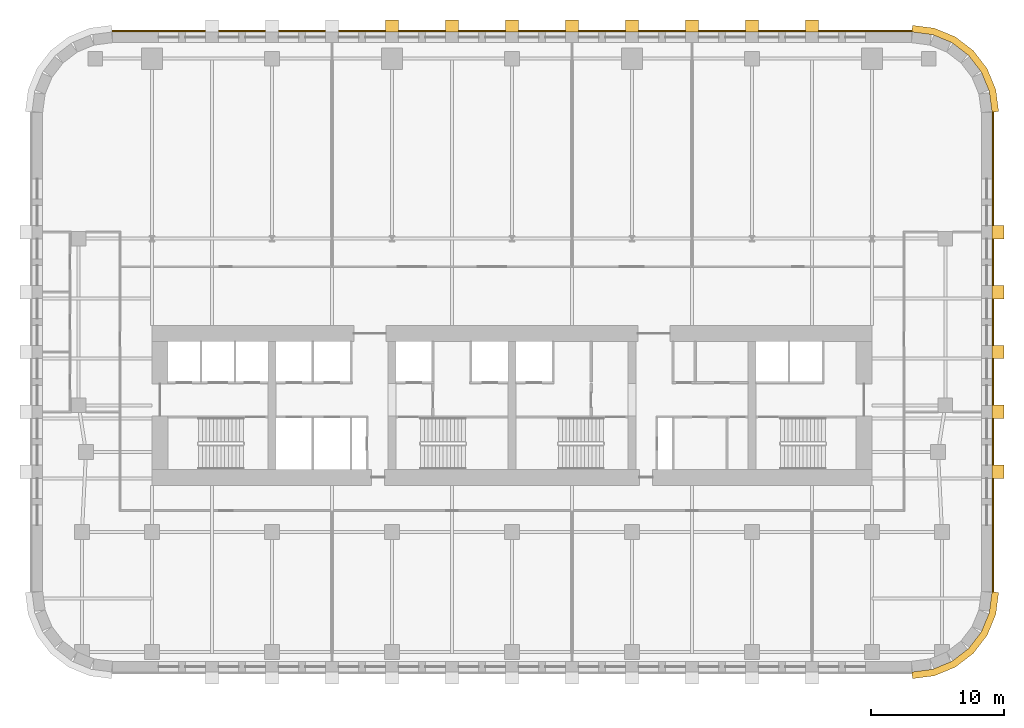
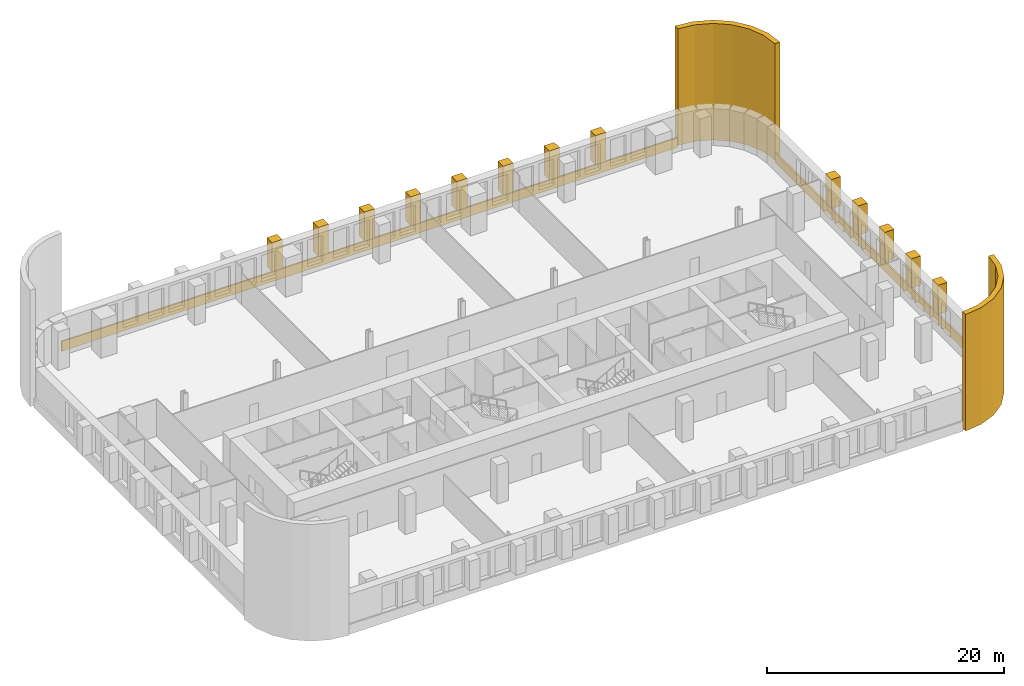
# One storey, part 11 of 11: 17 coverings.
"""IFC4 building model written with IfcOpenShell, lengths in metres."""

from ifc_helpers import new_model, si_unit, direction, frame, origin, place, context, subcontext, project, spatial, polyline, outline, extrude, material, layer, layer_set, type_object, element, save


model = new_model("IFC4")

# Units and contexts
model_context = context("Model", 3, precision=1e-05, world=origin(), true_north=direction((0.0, 1.0)))
body_context = subcontext(model_context, "Body", "Model", "MODEL_VIEW")
ifc_project = project(units=[si_unit("LENGTHUNIT", "METRE"), si_unit("AREAUNIT", "SQUARE_METRE"), si_unit("VOLUMEUNIT", "CUBIC_METRE"), si_unit("PLANEANGLEUNIT", "RADIAN"), si_unit("MASSUNIT", "GRAM", prefix="KILO")], contexts=[model_context])

# Site, building, storey
site_placement = place(None, origin())
site = spatial("IfcSite", under=ifc_project, at=site_placement, CompositionType="ELEMENT")
building_placement = place(site_placement, origin())
building = spatial("IfcBuilding", under=site, at=building_placement, Name="Zellij Exchange Tower", CompositionType="ELEMENT")
storey_placement = place(building_placement, frame((0.0, 0.0, 64.5)))
storey = spatial("IfcBuildingStorey", under=building, at=storey_placement, Name="L12", CompositionType="ELEMENT", Elevation=64.5)

# Coverings
ifc_material = material(Name="Limestone cladding", Category="masonry")
ifc_layer_1 = layer(ifc_material, 0.14990234375)
ifc_layer_set_1 = layer_set([ifc_layer_1], Name="Limestone cladding")
covering_type_1 = type_object("IfcCoveringType", Name="ENV-CV1 Stone spandrel band 150", PredefinedType="CLADDING", material=ifc_layer_set_1)
covering_1_placement = place(storey_placement, frame((0.0, 0.0, -0.199951171875)))
element("IfcCovering", 1, at=covering_1_placement, inside=storey, type_object=covering_type_1, Name="Stone spandrel band", PredefinedType="CLADDING", context=body_context, shape_type="SweptSolid", body=[
    extrude(outline(polyline([(36.0, -21.973876953125), (36.0, 13.973876953125), (36.14990234375, 13.983642578125), (36.14990234375, -21.983642578125), (36.0, -21.973876953125)])), origin(), (0.0, 0.0, 1.0), 1.0),
])
covering_2_placement = place(storey_placement, frame((0.0, 0.0, -0.199951171875)))
element("IfcCovering", 2, at=covering_2_placement, inside=storey, type_object=covering_type_1, Name="Stone spandrel band", PredefinedType="CLADDING", context=body_context, shape_type="SweptSolid", body=[
    extrude(outline(polyline([(29.973876953125, 20.0), (-29.973876953125, 20.0), (-29.983642578125, 20.14990234375), (29.983642578125, 20.14990234375), (29.973876953125, 20.0)])), origin(), (0.0, 0.0, 1.0), 1.0),
])
ifc_layer_2 = layer(ifc_material, 0.5)
ifc_layer_set_2 = layer_set([ifc_layer_2], Name="Limestone cladding")
covering_type_2 = type_object("IfcCoveringType", Name="ENV-CV12 Stone corner pier 500", PredefinedType="CLADDING", material=ifc_layer_set_2)
covering_3_placement = place(storey_placement, origin())
element("IfcCovering", 3, at=covering_3_placement, inside=storey, type_object=covering_type_2, Name="Stone corner pier", PredefinedType="CLADDING", context=body_context, shape_type="SweptSolid", body=[
    extrude(outline(polyline([(30.0, -28.0), (31.552978515625, -27.795654296875), (33.0, -27.1962890625), (34.24267578125, -26.24267578125), (35.1962890625, -25.0), (35.795654296875, -23.552978515625), (36.0, -22.0), (36.5, -22.03271484375), (36.28271484375, -23.683349609375), (35.6328125, -25.252197265625), (34.59912109375, -26.59912109375), (33.252197265625, -27.6328125), (31.683349609375, -28.28271484375), (30.03271484375, -28.5), (30.0, -28.0)])), origin(), (0.0, 0.0, 1.0), 12.0),
])
covering_4_placement = place(storey_placement, origin())
element("IfcCovering", 4, at=covering_4_placement, inside=storey, type_object=covering_type_2, Name="Stone corner pier", PredefinedType="CLADDING", context=body_context, shape_type="SweptSolid", body=[
    extrude(outline(polyline([(36.0, 14.0), (35.795654296875, 15.552978515625), (35.1962890625, 17.0), (34.24267578125, 18.24267578125), (33.0, 19.1962890625), (31.552978515625, 19.795654296875), (30.0, 20.0), (30.03271484375, 20.5), (31.683349609375, 20.28271484375), (33.252197265625, 19.6328125), (34.59912109375, 18.59912109375), (35.6328125, 17.252197265625), (36.28271484375, 15.683349609375), (36.5, 14.03271484375), (36.0, 14.0)])), origin(), (0.0, 0.0, 1.0), 12.0),
])
covering_type_3 = type_object("IfcCoveringType", Name="ENV-CV2 Stone pier 1000x900", PredefinedType="CLADDING", material=ifc_material)
covering_5_placement = place(storey_placement, frame((0.0, 0.0, 0.800048828125)))
element("IfcCovering", 5, at=covering_5_placement, inside=storey, type_object=covering_type_3, Name="Stone pier", PredefinedType="CLADDING", context=body_context, shape_type="SweptSolid", body=[
    extrude(outline(polyline([(36.0, -13.48681640625), (36.0, -12.48681640625), (36.89990234375, -12.48681640625), (36.89990234375, -13.48681640625), (36.0, -13.48681640625)])), origin(), (0.0, 0.0, 1.0), 3.0),
])
covering_6_placement = place(storey_placement, frame((0.0, 0.0, 0.800048828125)))
element("IfcCovering", 6, at=covering_6_placement, inside=storey, type_object=covering_type_3, Name="Stone pier", PredefinedType="CLADDING", context=body_context, shape_type="SweptSolid", body=[
    extrude(outline(polyline([(36.0, -8.993408203125), (36.0, -7.993408203125), (36.89990234375, -7.993408203125), (36.89990234375, -8.993408203125), (36.0, -8.993408203125)])), origin(), (0.0, 0.0, 1.0), 3.0),
])
covering_7_placement = place(storey_placement, frame((0.0, 0.0, 0.800048828125)))
element("IfcCovering", 7, at=covering_7_placement, inside=storey, type_object=covering_type_3, Name="Stone pier", PredefinedType="CLADDING", context=body_context, shape_type="SweptSolid", body=[
    extrude(outline(polyline([(36.0, -4.5), (36.0, -3.5), (36.89990234375, -3.5), (36.89990234375, -4.5), (36.0, -4.5)])), origin(), (0.0, 0.0, 1.0), 3.0),
])
covering_8_placement = place(storey_placement, frame((0.0, 0.0, 0.800048828125)))
element("IfcCovering", 8, at=covering_8_placement, inside=storey, type_object=covering_type_3, Name="Stone pier", PredefinedType="CLADDING", context=body_context, shape_type="SweptSolid", body=[
    extrude(outline(polyline([(36.0, -0.006591796875), (36.0, 0.993408203125), (36.89990234375, 0.993408203125), (36.89990234375, -0.006591796875), (36.0, -0.006591796875)])), origin(), (0.0, 0.0, 1.0), 3.0),
])
covering_9_placement = place(storey_placement, frame((0.0, 0.0, 0.800048828125)))
element("IfcCovering", 9, at=covering_9_placement, inside=storey, type_object=covering_type_3, Name="Stone pier", PredefinedType="CLADDING", context=body_context, shape_type="SweptSolid", body=[
    extrude(outline(polyline([(36.0, 4.48681640625), (36.0, 5.48681640625), (36.89990234375, 5.48681640625), (36.89990234375, 4.48681640625), (36.0, 4.48681640625)])), origin(), (0.0, 0.0, 1.0), 3.0),
])
covering_10_placement = place(storey_placement, frame((0.0, 0.0, 0.800048828125)))
element("IfcCovering", 10, at=covering_10_placement, inside=storey, type_object=covering_type_3, Name="Stone pier", PredefinedType="CLADDING", context=body_context, shape_type="SweptSolid", body=[
    extrude(outline(polyline([(23.0, 20.0), (22.0, 20.0), (22.0, 20.89990234375), (23.0, 20.89990234375), (23.0, 20.0)])), origin(), (0.0, 0.0, 1.0), 3.0),
])
covering_11_placement = place(storey_placement, frame((0.0, 0.0, 0.800048828125)))
element("IfcCovering", 11, at=covering_11_placement, inside=storey, type_object=covering_type_3, Name="Stone pier", PredefinedType="CLADDING", context=body_context, shape_type="SweptSolid", body=[
    extrude(outline(polyline([(18.5, 20.0), (17.5, 20.0), (17.5, 20.89990234375), (18.5, 20.89990234375), (18.5, 20.0)])), origin(), (0.0, 0.0, 1.0), 3.0),
])
covering_12_placement = place(storey_placement, frame((0.0, 0.0, 0.800048828125)))
element("IfcCovering", 12, at=covering_12_placement, inside=storey, type_object=covering_type_3, Name="Stone pier", PredefinedType="CLADDING", context=body_context, shape_type="SweptSolid", body=[
    extrude(outline(polyline([(14.0, 20.0), (13.0, 20.0), (13.0, 20.89990234375), (14.0, 20.89990234375), (14.0, 20.0)])), origin(), (0.0, 0.0, 1.0), 3.0),
])
covering_13_placement = place(storey_placement, frame((0.0, 0.0, 0.800048828125)))
element("IfcCovering", 13, at=covering_13_placement, inside=storey, type_object=covering_type_3, Name="Stone pier", PredefinedType="CLADDING", context=body_context, shape_type="SweptSolid", body=[
    extrude(outline(polyline([(9.5, 20.0), (8.5, 20.0), (8.5, 20.89990234375), (9.5, 20.89990234375), (9.5, 20.0)])), origin(), (0.0, 0.0, 1.0), 3.0),
])
covering_14_placement = place(storey_placement, frame((0.0, 0.0, 0.800048828125)))
element("IfcCovering", 14, at=covering_14_placement, inside=storey, type_object=covering_type_3, Name="Stone pier", PredefinedType="CLADDING", context=body_context, shape_type="SweptSolid", body=[
    extrude(outline(polyline([(5.0, 20.0), (4.0, 20.0), (4.0, 20.89990234375), (5.0, 20.89990234375), (5.0, 20.0)])), origin(), (0.0, 0.0, 1.0), 3.0),
])
covering_15_placement = place(storey_placement, frame((0.0, 0.0, 0.800048828125)))
element("IfcCovering", 15, at=covering_15_placement, inside=storey, type_object=covering_type_3, Name="Stone pier", PredefinedType="CLADDING", context=body_context, shape_type="SweptSolid", body=[
    extrude(outline(polyline([(0.5, 20.0), (-0.5, 20.0), (-0.5, 20.89990234375), (0.5, 20.89990234375), (0.5, 20.0)])), origin(), (0.0, 0.0, 1.0), 3.0),
])
covering_16_placement = place(storey_placement, frame((0.0, 0.0, 0.800048828125)))
element("IfcCovering", 16, at=covering_16_placement, inside=storey, type_object=covering_type_3, Name="Stone pier", PredefinedType="CLADDING", context=body_context, shape_type="SweptSolid", body=[
    extrude(outline(polyline([(-4.0, 20.0), (-5.0, 20.0), (-5.0, 20.89990234375), (-4.0, 20.89990234375), (-4.0, 20.0)])), origin(), (0.0, 0.0, 1.0), 3.0),
])
covering_17_placement = place(storey_placement, frame((0.0, 0.0, 0.800048828125)))
element("IfcCovering", 17, at=covering_17_placement, inside=storey, type_object=covering_type_3, Name="Stone pier", PredefinedType="CLADDING", context=body_context, shape_type="SweptSolid", body=[
    extrude(outline(polyline([(-8.5, 20.0), (-9.5, 20.0), (-9.5, 20.89990234375), (-8.5, 20.89990234375), (-8.5, 20.0)])), origin(), (0.0, 0.0, 1.0), 3.0),
])

save(model, "model.ifc")
